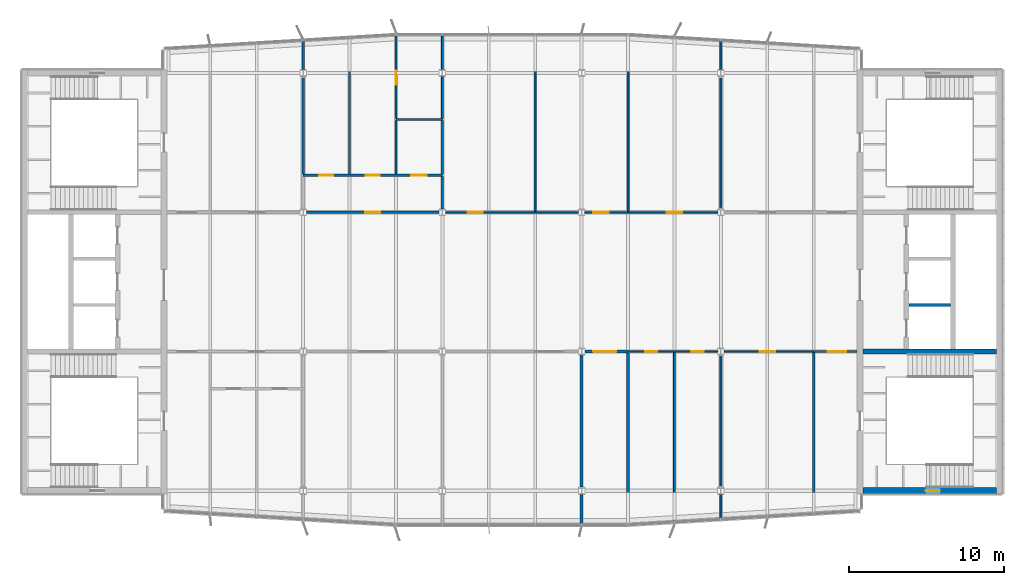
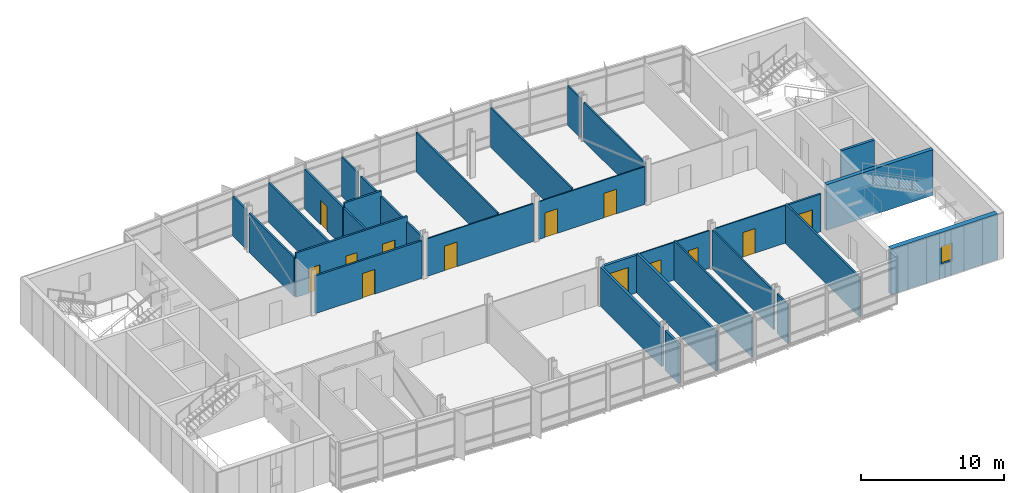
# One storey, part 12 of 17: 32 walls, 13 doors, 1 window, 14 openings.
"""IFC4 building model written with IfcOpenShell, lengths in metres."""

from ifc_helpers import new_model, si_unit, direction, frame, frame_2d, origin, place, context, subcontext, project, spatial, rectangle, extrude, material, layer, layer_set, type_object, element, fill, save


model = new_model("IFC4")

# Units and contexts
model_context = context("Model", 3, precision=1e-05, world=origin(), true_north=direction((0.0, 1.0)))
body_context = subcontext(model_context, "Body", "Model", "MODEL_VIEW")
ifc_project = project(units=[si_unit("LENGTHUNIT", "METRE"), si_unit("AREAUNIT", "SQUARE_METRE"), si_unit("VOLUMEUNIT", "CUBIC_METRE"), si_unit("PLANEANGLEUNIT", "RADIAN"), si_unit("MASSUNIT", "GRAM", prefix="KILO")], contexts=[model_context])

# Site, building, storey
site_placement = place(None, origin())
site = spatial("IfcSite", under=ifc_project, at=site_placement, CompositionType="ELEMENT")
building_placement = place(site_placement, origin())
building = spatial("IfcBuilding", under=site, at=building_placement, Name="Azimuth Sports and Learning Centre", CompositionType="ELEMENT")
storey_placement = place(building_placement, frame((0.0, 0.0, 40.199951171875)))
storey = spatial("IfcBuildingStorey", under=building, at=storey_placement, Name="L08", CompositionType="ELEMENT", Elevation=40.199951171875)

# Wall
ifc_material_1 = material(Name="Dense masonry blockwork", Category="masonry")
ifc_layer_1 = layer(ifc_material_1, 0.199951171875)
ifc_layer_set_1 = layer_set([ifc_layer_1], Name="Dense masonry blockwork")
wall_type_1 = type_object("IfcWallType", Name="Blockwork wall 200 EI 120", PredefinedType="SOLIDWALL", material=ifc_layer_set_1)
wall_1_placement = place(storey_placement, frame((111.14990234375, 102.0, 0.0), z_axis=(0.0, 0.0, 1.0), x_axis=(1.0, 0.0, 0.0)))
element("IfcWall", 1, at=wall_1_placement, inside=storey, type_object=wall_type_1, Name="SD-E-1-L08", PredefinedType="SOLIDWALL", context=body_context, shape_type="SweptSolid", body=[
    extrude(rectangle(XDim=2.7001953125, YDim=0.199951171875, at=frame_2d((1.35009765625, 0.0))), origin(), (0.0, 0.0, 1.0), 3.900146484375),
])

# Wall, openings, doors
ifc_material_2 = material(Name="Gypsum board on steel studs", Category="steel")
ifc_layer_2 = layer(ifc_material_2, 0.10009765625)
ifc_layer_set_2 = layer_set([ifc_layer_2], Name="Gypsum board on steel studs")
wall_type_2 = type_object("IfcWallType", Name="Partition 100 EI 30", PredefinedType="PARTITIONING", material=ifc_layer_set_2)
wall_2_placement = place(storey_placement, frame((93.0, 99.0, 0.0), z_axis=(0.0, 0.0, 1.0), x_axis=(1.0, 0.0, 0.0)))
wall_2 = element("IfcWall", 2, at=wall_2_placement, inside=storey, type_object=wall_type_2, Name="Partition IT Store 08.13 / Cleaner Store 08.14", PredefinedType="PARTITIONING", context=body_context, shape_type="SweptSolid", body=[
    extrude(rectangle(XDim=5.7939453125, YDim=0.10009765625, at=frame_2d((2.89697265625, 0.0))), origin(), (0.0, 0.0, 1.0), 3.219970703125),
])
opening_1_placement = place(wall_2_placement, frame((1.10009765625, 0.0, 0.0)))
opening_1 = element("IfcOpeningElement", 3, at=opening_1_placement, cuts=wall_2, Name="Opening D08-019", PredefinedType="OPENING", context=body_context, shape_type="SweptSolid", body=[
    extrude(rectangle(XDim=0.800048828125, YDim=2.10009765625, at=frame_2d((0.39990234375, 1.050048828125))), frame((0.0, 0.06103515625, 0.0), z_axis=(0.0, -1.0, 0.0), x_axis=(1.0, 0.0, 0.0)), (0.0, 0.0, 1.0), 0.1220703125),
])
opening_2_placement = place(wall_2_placement, frame((4.10009765625, 0.0, 0.0)))
opening_2 = element("IfcOpeningElement", 4, at=opening_2_placement, cuts=wall_2, Name="Opening D08-020", PredefinedType="OPENING", context=body_context, shape_type="SweptSolid", body=[
    extrude(rectangle(XDim=0.800048828125, YDim=2.10009765625, at=frame_2d((0.39990234375, 1.050048828125))), frame((0.0, 0.06103515625, 0.0), z_axis=(0.0, -1.0, 0.0), x_axis=(1.0, 0.0, 0.0)), (0.0, 0.0, 1.0), 0.1220703125),
])
ifc_material_3 = material(Name="Painted steel door set", Category="steel")
door_type_1 = type_object("IfcDoorType", Name="Fire door FD30S 800 x 2100", OperationType="NOTDEFINED", PredefinedType="DOOR", material=ifc_material_3)
door_1_placement = place(opening_1_placement, frame((0.800048828125, 0.0, 0.0), z_axis=(0.0, 0.0, 1.0), x_axis=(-1.0, 0.0, 0.0)))
door_1 = element("IfcDoor", 5, at=door_1_placement, inside=storey, type_object=door_type_1, Name="Door IT Store 08.13 / Learning Street", OperationType="SINGLE_SWING_LEFT", OverallHeight=2.10009765625, OverallWidth=0.800048828125, PredefinedType="DOOR", context=body_context, shape_type="SweptSolid", body=[
    extrude(rectangle(XDim=0.800048828125, YDim=2.10009765625, at=frame_2d((0.39990234375, 1.050048828125))), frame((0.0, 0.02490234375, 0.0), z_axis=(0.0, -1.0, 0.0), x_axis=(1.0, 0.0, 0.0)), (0.0, 0.0, 1.0), 0.050048828125),
])
fill(opening_1, door_1)
door_2_placement = place(opening_2_placement, frame((0.800048828125, 0.0, 0.0), z_axis=(0.0, 0.0, 1.0), x_axis=(-1.0, 0.0, 0.0)))
door_2 = element("IfcDoor", 6, at=door_2_placement, inside=storey, type_object=door_type_1, Name="Door Cleaner Store 08.14 / Learning Street", OperationType="SINGLE_SWING_LEFT", OverallHeight=2.10009765625, OverallWidth=0.800048828125, PredefinedType="DOOR", context=body_context, shape_type="SweptSolid", body=[
    extrude(rectangle(XDim=0.800048828125, YDim=2.10009765625, at=frame_2d((0.39990234375, 1.050048828125))), frame((0.0, 0.02490234375, 0.0), z_axis=(0.0, -1.0, 0.0), x_axis=(1.0, 0.0, 0.0)), (0.0, 0.0, 1.0), 0.050048828125),
])
fill(opening_2, door_2)

# Wall, opening, door
wall_3_placement = place(storey_placement, frame((99.2060546875, 99.0, 0.0), z_axis=(0.0, 0.0, 1.0), x_axis=(1.0, 0.0, 0.0)))
wall_3 = element("IfcWall", 7, at=wall_3_placement, inside=storey, type_object=wall_type_2, Name="Partition IT Store 08.13 / Cleaner Store 08.14", PredefinedType="PARTITIONING", context=body_context, shape_type="SweptSolid", body=[
    extrude(rectangle(XDim=5.7939453125, YDim=0.10009765625, at=frame_2d((2.89697265625, 0.0))), origin(), (0.0, 0.0, 1.0), 3.219970703125),
])
opening_3_placement = place(wall_3_placement, frame((2.2939453125, 0.0, 0.0)))
opening_3 = element("IfcOpeningElement", 8, at=opening_3_placement, cuts=wall_3, Name="Opening D08-021", PredefinedType="OPENING", context=body_context, shape_type="SweptSolid", body=[
    extrude(rectangle(XDim=1.0, YDim=2.10009765625, at=frame_2d((0.5, 1.050048828125))), frame((0.0, 0.06103515625, 0.0), z_axis=(0.0, -1.0, 0.0), x_axis=(1.0, 0.0, 0.0)), (0.0, 0.0, 1.0), 0.1220703125),
])
ifc_material_4 = material(Name="Painted steel door set", Category="steel")
door_type_2 = type_object("IfcDoorType", Name="Fire door FD30S 1000 x 2100", OperationType="NOTDEFINED", PredefinedType="DOOR", material=ifc_material_4)
door_3_placement = place(opening_3_placement, frame((1.0, 0.0, 0.0), z_axis=(0.0, 0.0, 1.0), x_axis=(-1.0, 0.0, 0.0)))
door_3 = element("IfcDoor", 9, at=door_3_placement, inside=storey, type_object=door_type_2, Name="Door Classroom 08.15 / Learning Street", OperationType="SINGLE_SWING_RIGHT", OverallHeight=2.10009765625, OverallWidth=1.0, PredefinedType="DOOR", context=body_context, shape_type="SweptSolid", body=[
    extrude(rectangle(XDim=1.0, YDim=2.10009765625, at=frame_2d((0.5, 1.050048828125))), frame((0.0, 0.02490234375, 0.0), z_axis=(0.0, -1.0, 0.0), x_axis=(1.0, 0.0, 0.0)), (0.0, 0.0, 1.0), 0.050048828125),
])
fill(opening_3, door_3)

wall_4_placement = place(storey_placement, frame((81.2060546875, 108.0, 0.0), z_axis=(0.0, 0.0, 1.0), x_axis=(1.0, 0.0, 0.0)))
wall_4 = element("IfcWall", 10, at=wall_4_placement, inside=storey, type_object=wall_type_2, Name="Partition Classroom 08.22 / Classroom 08.23", PredefinedType="PARTITIONING", context=body_context, shape_type="SweptSolid", body=[
    extrude(rectangle(XDim=8.587890625, YDim=0.10009765625, at=frame_2d((4.2939453125, 0.0))), origin(), (0.0, 0.0, 1.0), 3.219970703125),
])
opening_4_placement = place(wall_4_placement, frame((1.4189453125, 0.0, 0.0)))
opening_4 = element("IfcOpeningElement", 11, at=opening_4_placement, cuts=wall_4, Name="Opening D08-024", PredefinedType="OPENING", context=body_context, shape_type="SweptSolid", body=[
    extrude(rectangle(XDim=1.0, YDim=2.10009765625, at=frame_2d((0.5, 1.050048828125))), frame((0.0, 0.06103515625, 0.0), z_axis=(0.0, -1.0, 0.0), x_axis=(1.0, 0.0, 0.0)), (0.0, 0.0, 1.0), 0.1220703125),
])
door_4_placement = place(opening_4_placement, origin())
door_4 = element("IfcDoor", 12, at=door_4_placement, inside=storey, type_object=door_type_2, Name="Door Classroom 08.22 / Learning Street", OperationType="SINGLE_SWING_LEFT", OverallHeight=2.10009765625, OverallWidth=1.0, PredefinedType="DOOR", context=body_context, shape_type="SweptSolid", body=[
    extrude(rectangle(XDim=1.0, YDim=2.10009765625, at=frame_2d((0.5, 1.050048828125))), frame((0.0, 0.02490234375, 0.0), z_axis=(0.0, -1.0, 0.0), x_axis=(1.0, 0.0, 0.0)), (0.0, 0.0, 1.0), 0.050048828125),
])
fill(opening_4, door_4)

# Wall, openings, doors
wall_5_placement = place(storey_placement, frame((90.2060546875, 108.0, 0.0), z_axis=(0.0, 0.0, 1.0), x_axis=(1.0, 0.0, 0.0)))
wall_5 = element("IfcWall", 13, at=wall_5_placement, inside=storey, type_object=wall_type_2, Name="Partition Classroom 08.22 / Classroom 08.23", PredefinedType="PARTITIONING", context=body_context, shape_type="SweptSolid", body=[
    extrude(rectangle(XDim=8.587890625, YDim=0.10009765625, at=frame_2d((4.2939453125, 0.0))), origin(), (0.0, 0.0, 1.0), 3.219970703125),
])
opening_5_placement = place(wall_5_placement, frame((0.5439453125, 0.0, 0.0)))
opening_5 = element("IfcOpeningElement", 14, at=opening_5_placement, cuts=wall_5, Name="Opening D08-025", PredefinedType="OPENING", context=body_context, shape_type="SweptSolid", body=[
    extrude(rectangle(XDim=1.0, YDim=2.10009765625, at=frame_2d((0.5, 1.050048828125))), frame((0.0, 0.06103515625, 0.0), z_axis=(0.0, -1.0, 0.0), x_axis=(1.0, 0.0, 0.0)), (0.0, 0.0, 1.0), 0.1220703125),
])
opening_6_placement = place(wall_5_placement, frame((5.2939453125, 0.0, 0.0)))
opening_6 = element("IfcOpeningElement", 15, at=opening_6_placement, cuts=wall_5, Name="Opening D08-026", PredefinedType="OPENING", context=body_context, shape_type="SweptSolid", body=[
    extrude(rectangle(XDim=1.0, YDim=2.10009765625, at=frame_2d((0.5, 1.050048828125))), frame((0.0, 0.06103515625, 0.0), z_axis=(0.0, -1.0, 0.0), x_axis=(1.0, 0.0, 0.0)), (0.0, 0.0, 1.0), 0.1220703125),
])
door_5_placement = place(opening_5_placement, origin())
door_5 = element("IfcDoor", 16, at=door_5_placement, inside=storey, type_object=door_type_2, Name="Door Classroom 08.23 / Learning Street", OperationType="SINGLE_SWING_LEFT", OverallHeight=2.10009765625, OverallWidth=1.0, PredefinedType="DOOR", context=body_context, shape_type="SweptSolid", body=[
    extrude(rectangle(XDim=1.0, YDim=2.10009765625, at=frame_2d((0.5, 1.050048828125))), frame((0.0, 0.02490234375, 0.0), z_axis=(0.0, -1.0, 0.0), x_axis=(1.0, 0.0, 0.0)), (0.0, 0.0, 1.0), 0.050048828125),
])
fill(opening_5, door_5)
door_6_placement = place(opening_6_placement, origin())
door_6 = element("IfcDoor", 17, at=door_6_placement, inside=storey, type_object=door_type_2, Name="Door Seminar Room 08.24 / Learning Street", OperationType="SINGLE_SWING_RIGHT", OverallHeight=2.10009765625, OverallWidth=1.0, PredefinedType="DOOR", context=body_context, shape_type="SweptSolid", body=[
    extrude(rectangle(XDim=1.0, YDim=2.10009765625, at=frame_2d((0.5, 1.050048828125))), frame((0.0, 0.02490234375, 0.0), z_axis=(0.0, -1.0, 0.0), x_axis=(1.0, 0.0, 0.0)), (0.0, 0.0, 1.0), 0.050048828125),
])
fill(opening_6, door_6)

# Walls
ifc_material_5 = material(Name="Gypsum board on steel studs, acoustic", Category="steel")
ifc_layer_3 = layer(ifc_material_5, 0.125)
ifc_layer_set_3 = layer_set([ifc_layer_3], Name="Gypsum board on steel studs, acoustic")
wall_type_3 = type_object("IfcWallType", Name="Partition 125 EI 60", PredefinedType="PARTITIONING", material=ifc_layer_set_3)
wall_6_placement = place(storey_placement, frame((81.0, 114.074951171875, 0.0), z_axis=(0.0, 0.0, 1.0), x_axis=(0.0, 1.0, 0.0)))
element("IfcWall", 18, at=wall_6_placement, inside=storey, type_object=wall_type_3, Name="Partition Cleaner Store 08.21 / Classroom 08.22", PredefinedType="PARTITIONING", context=body_context, shape_type="SweptSolid", body=[
    extrude(rectangle(XDim=2.68798828125, YDim=0.125, at=frame_2d((1.343994140625, 0.0))), origin(), (0.0, 0.0, 1.0), 3.320068359375),
])
wall_7_placement = place(storey_placement, frame((81.0, 117.237060546875, 0.0), z_axis=(0.0, 0.0, 1.0), x_axis=(0.0, 1.0, 0.0)))
element("IfcWall", 19, at=wall_7_placement, inside=storey, type_object=wall_type_3, Name="Partition Cleaner Store 08.21 / Classroom 08.22", PredefinedType="PARTITIONING", context=body_context, shape_type="SweptSolid", body=[
    extrude(rectangle(XDim=2.162841796875, YDim=0.125, at=frame_2d((1.08154296875, 0.0))), origin(), (0.0, 0.0, 1.0), 3.3701171875),
])
for number, where, z_axis, x_axis, name in (
    (20, (87.0, 108.050048828125, 0.0), (0.0, 0.0, 1.0), (0.0, 1.0, 0.0), "Partition Classroom 08.22 / Classroom 08.23"),
    (21, (93.0, 108.050048828125, 0.0), (0.0, 0.0, 1.0), (0.0, 1.0, 0.0), "Partition Classroom 08.23 / Seminar Room 08.24"),
):
    element("IfcWall", number, at=place(storey_placement, frame(where, z_axis=z_axis, x_axis=x_axis)), inside=storey, type_object=wall_type_3, Name=name, PredefinedType="PARTITIONING", context=body_context, shape_type="SweptSolid", body=[
        extrude(rectangle(XDim=11.349853515625, YDim=0.125, at=frame_2d((5.6748046875, 0.0))), origin(), (0.0, 0.0, 1.0), 3.3701171875),
    ])
wall_8_placement = place(storey_placement, frame((96.0, 88.080078125, 0.0), z_axis=(0.0, 0.0, 1.0), x_axis=(0.0, 1.0, 0.0)))
element("IfcWall", 22, at=wall_8_placement, inside=storey, type_object=wall_type_3, Name="Partition IT Store 08.13 / Cleaner Store 08.14", PredefinedType="PARTITIONING", context=body_context, shape_type="SweptSolid", body=[
    extrude(rectangle(XDim=10.869873046875, YDim=0.125, at=frame_2d((5.43505859375, 0.0))), origin(), (0.0, 0.0, 1.0), 3.3701171875),
])
wall_9_placement = place(storey_placement, frame((99.0, 88.260009765625, 0.0), z_axis=(0.0, 0.0, 1.0), x_axis=(0.0, 1.0, 0.0)))
element("IfcWall", 23, at=wall_9_placement, inside=storey, type_object=wall_type_3, Name="Partition Cleaner Store 08.14 / Classroom 08.15", PredefinedType="PARTITIONING", context=body_context, shape_type="SweptSolid", body=[
    extrude(rectangle(XDim=1.5029296875, YDim=0.125, at=frame_2d((0.75146484375, 0.0))), origin(), (0.0, 0.0, 1.0), 3.3701171875),
])
for number, where, z_axis, x_axis, name in (
    (24, (99.0, 90.237060546875, 0.0), (0.0, 0.0, 1.0), (0.0, 1.0, 0.0), "Partition Cleaner Store 08.14 / Classroom 08.15"),
    (25, (99.0, 108.217529296875, 0.0), (0.0, 0.0, 1.0), (0.0, 1.0, 0.0), "Partition Seminar Room 08.24 / Seminar Room 08.25"),
):
    element("IfcWall", number, at=place(storey_placement, frame(where, z_axis=z_axis, x_axis=x_axis)), inside=storey, type_object=wall_type_3, Name=name, PredefinedType="PARTITIONING", context=body_context, shape_type="SweptSolid", body=[
        extrude(rectangle(XDim=8.54541015625, YDim=0.125, at=frame_2d((4.272705078125, 0.0))), origin(), (0.0, 0.0, 1.0), 3.320068359375),
    ])
wall_10_placement = place(storey_placement, frame((99.0, 117.237060546875, 0.0), z_axis=(0.0, 0.0, 1.0), x_axis=(0.0, 1.0, 0.0)))
element("IfcWall", 26, at=wall_10_placement, inside=storey, type_object=wall_type_3, Name="Partition Seminar Room 08.24 / Seminar Room 08.25", PredefinedType="PARTITIONING", context=body_context, shape_type="SweptSolid", body=[
    extrude(rectangle(XDim=1.802978515625, YDim=0.125, at=frame_2d((0.9013671875, 0.0))), origin(), (0.0, 0.0, 1.0), 3.3701171875),
])

# Wall, opening, door
ifc_material_6 = material(Name="Lightweight blockwork, rendered", Category="masonry")
ifc_layer_4 = layer(ifc_material_6, 0.14990234375)
ifc_layer_set_4 = layer_set([ifc_layer_4], Name="Lightweight blockwork, rendered")
wall_type_4 = type_object("IfcWallType", Name="Partition 150 EI 60", PredefinedType="PARTITIONING", material=ifc_layer_set_4)
wall_11_placement = place(storey_placement, frame((105.0, 99.0, 0.0), z_axis=(0.0, 0.0, 1.0), x_axis=(1.0, 0.0, 0.0)))
wall_11 = element("IfcWall", 27, at=wall_11_placement, inside=storey, type_object=wall_type_4, Name="Partition Stair Lobby E1 08.03 / Learning Street", PredefinedType="PARTITIONING", context=body_context, shape_type="SweptSolid", body=[
    extrude(rectangle(XDim=2.800048828125, YDim=0.14990234375, at=frame_2d((1.39990234375, 0.0))), origin(), (0.0, 0.0, 1.0), 3.219970703125),
])
opening_7_placement = place(wall_11_placement, frame((0.89990234375, 0.0, 0.0)))
opening_7 = element("IfcOpeningElement", 28, at=opening_7_placement, cuts=wall_11, Name="Opening D08-013", PredefinedType="OPENING", context=body_context, shape_type="SweptSolid", body=[
    extrude(rectangle(XDim=1.199951171875, YDim=2.10009765625, at=frame_2d((0.60009765625, 1.050048828125))), frame((0.0, 0.0859375, 0.0), z_axis=(0.0, -1.0, 0.0), x_axis=(1.0, 0.0, 0.0)), (0.0, 0.0, 1.0), 0.171875),
])
ifc_material_7 = material(Name="Painted steel door set", Category="steel")
door_type_3 = type_object("IfcDoorType", Name="Fire door FD60 1200 x 2100", OperationType="NOTDEFINED", PredefinedType="DOOR", material=ifc_material_7)
door_7_placement = place(opening_7_placement, frame((1.199951171875, 0.0, 0.0), z_axis=(0.0, 0.0, 1.0), x_axis=(-1.0, 0.0, 0.0)))
door_7 = element("IfcDoor", 29, at=door_7_placement, inside=storey, type_object=door_type_3, Name="Door Stair Lobby E1 08.03 / Learning Street", OperationType="SINGLE_SWING_LEFT", OverallHeight=2.10009765625, OverallWidth=1.199951171875, PredefinedType="DOOR", context=body_context, shape_type="SweptSolid", body=[
    extrude(rectangle(XDim=1.199951171875, YDim=2.10009765625, at=frame_2d((0.60009765625, 1.050048828125))), frame((0.0, 0.02490234375, 0.0), z_axis=(0.0, -1.0, 0.0), x_axis=(1.0, 0.0, 0.0)), (0.0, 0.0, 1.0), 0.050048828125),
])
fill(opening_7, door_7)

wall_12_placement = place(storey_placement, frame((72.2060546875, 108.0, 0.0), z_axis=(0.0, 0.0, 1.0), x_axis=(1.0, 0.0, 0.0)))
wall_12 = element("IfcWall", 30, at=wall_12_placement, inside=storey, type_object=wall_type_4, Name="Partition WC Lobby 08.17 / Learning Street", PredefinedType="PARTITIONING", context=body_context, shape_type="SweptSolid", body=[
    extrude(rectangle(XDim=8.587890625, YDim=0.14990234375, at=frame_2d((4.2939453125, 0.0))), origin(), (0.0, 0.0, 1.0), 3.219970703125),
])
opening_8_placement = place(wall_12_placement, frame((3.7939453125, 0.0, 0.0)))
opening_8 = element("IfcOpeningElement", 31, at=opening_8_placement, cuts=wall_12, Name="Opening D08-023", PredefinedType="OPENING", context=body_context, shape_type="SweptSolid", body=[
    extrude(rectangle(XDim=1.0, YDim=2.10009765625, at=frame_2d((0.5, 1.050048828125))), frame((0.0, 0.0859375, 0.0), z_axis=(0.0, -1.0, 0.0), x_axis=(1.0, 0.0, 0.0)), (0.0, 0.0, 1.0), 0.171875),
])
ifc_material_8 = material(Name="Painted steel door set", Category="steel")
door_type_4 = type_object("IfcDoorType", Name="Fire door FD60 1000 x 2100", OperationType="NOTDEFINED", PredefinedType="DOOR", material=ifc_material_8)
door_8_placement = place(opening_8_placement, origin())
door_8 = element("IfcDoor", 32, at=door_8_placement, inside=storey, type_object=door_type_4, Name="Door WC Lobby 08.17 / Learning Street", OperationType="SINGLE_SWING_RIGHT", OverallHeight=2.10009765625, OverallWidth=1.0, PredefinedType="DOOR", context=body_context, shape_type="SweptSolid", body=[
    extrude(rectangle(XDim=1.0, YDim=2.10009765625, at=frame_2d((0.5, 1.050048828125))), frame((0.0, 0.02490234375, 0.0), z_axis=(0.0, -1.0, 0.0), x_axis=(1.0, 0.0, 0.0)), (0.0, 0.0, 1.0), 0.050048828125),
])
fill(opening_8, door_8)

# Wall, openings, doors
wall_13_placement = place(storey_placement, frame((72.0, 110.39990234375, 0.0), z_axis=(0.0, 0.0, 1.0), x_axis=(1.0, 0.0, 0.0)))
wall_13 = element("IfcWall", 33, at=wall_13_placement, inside=storey, type_object=wall_type_4, Name="Partition WC Lobby 08.17 / Men WC 08.18", PredefinedType="PARTITIONING", context=body_context, shape_type="SweptSolid", body=[
    extrude(rectangle(XDim=9.0, YDim=0.14990234375, at=frame_2d((4.5, 0.0))), origin(), (0.0, 0.0, 1.0), 3.77001953125),
])
opening_9_placement = place(wall_13_placement, frame((1.050048828125, 0.0, 0.0)))
opening_9 = element("IfcOpeningElement", 34, at=opening_9_placement, cuts=wall_13, Name="Opening D08-030", PredefinedType="OPENING", context=body_context, shape_type="SweptSolid", body=[
    extrude(rectangle(XDim=0.89990234375, YDim=2.10009765625, at=frame_2d((0.449951171875, 1.050048828125))), frame((0.0, 0.0859375, 0.0), z_axis=(0.0, -1.0, 0.0), x_axis=(1.0, 0.0, 0.0)), (0.0, 0.0, 1.0), 0.171875),
])
opening_10_placement = place(wall_13_placement, frame((4.050048828125, 0.0, 0.0)))
opening_10 = element("IfcOpeningElement", 35, at=opening_10_placement, cuts=wall_13, Name="Opening D08-031", PredefinedType="OPENING", context=body_context, shape_type="SweptSolid", body=[
    extrude(rectangle(XDim=0.89990234375, YDim=2.10009765625, at=frame_2d((0.449951171875, 1.050048828125))), frame((0.0, 0.0859375, 0.0), z_axis=(0.0, -1.0, 0.0), x_axis=(1.0, 0.0, 0.0)), (0.0, 0.0, 1.0), 0.171875),
])
opening_11_placement = place(wall_13_placement, frame((7.0, 0.0, 0.0)))
opening_11 = element("IfcOpeningElement", 36, at=opening_11_placement, cuts=wall_13, Name="Opening D08-032", PredefinedType="OPENING", context=body_context, shape_type="SweptSolid", body=[
    extrude(rectangle(XDim=1.0, YDim=2.10009765625, at=frame_2d((0.5, 1.050048828125))), frame((0.0, 0.0859375, 0.0), z_axis=(0.0, -1.0, 0.0), x_axis=(1.0, 0.0, 0.0)), (0.0, 0.0, 1.0), 0.171875),
])
door_9_placement = place(opening_11_placement, origin())
door_9 = element("IfcDoor", 37, at=door_9_placement, inside=storey, type_object=door_type_4, Name="Door WC Lobby 08.17 / Accessible WC 08.20", OperationType="SINGLE_SWING_LEFT", OverallHeight=2.10009765625, OverallWidth=1.0, PredefinedType="DOOR", context=body_context, shape_type="SweptSolid", body=[
    extrude(rectangle(XDim=1.0, YDim=2.10009765625, at=frame_2d((0.5, 1.050048828125))), frame((0.0, 0.02490234375, 0.0), z_axis=(0.0, -1.0, 0.0), x_axis=(1.0, 0.0, 0.0)), (0.0, 0.0, 1.0), 0.050048828125),
])
fill(opening_11, door_9)
ifc_material_9 = material(Name="Painted steel door set", Category="steel")
door_type_5 = type_object("IfcDoorType", Name="Fire door FD60 900 x 2100", OperationType="NOTDEFINED", PredefinedType="DOOR", material=ifc_material_9)
door_10_placement = place(opening_9_placement, frame((0.89990234375, 0.0, 0.0), z_axis=(0.0, 0.0, 1.0), x_axis=(-1.0, 0.0, 0.0)))
door_10 = element("IfcDoor", 38, at=door_10_placement, inside=storey, type_object=door_type_5, Name="Door WC Lobby 08.17 / Men WC 08.18", OperationType="SINGLE_SWING_RIGHT", OverallHeight=2.10009765625, OverallWidth=0.89990234375, PredefinedType="DOOR", context=body_context, shape_type="SweptSolid", body=[
    extrude(rectangle(XDim=0.89990234375, YDim=2.10009765625, at=frame_2d((0.449951171875, 1.050048828125))), frame((0.0, 0.02490234375, 0.0), z_axis=(0.0, -1.0, 0.0), x_axis=(1.0, 0.0, 0.0)), (0.0, 0.0, 1.0), 0.050048828125),
])
fill(opening_9, door_10)
door_11_placement = place(opening_10_placement, frame((0.89990234375, 0.0, 0.0), z_axis=(0.0, 0.0, 1.0), x_axis=(-1.0, 0.0, 0.0)))
door_11 = element("IfcDoor", 39, at=door_11_placement, inside=storey, type_object=door_type_5, Name="Door WC Lobby 08.17 / Women WC 08.19", OperationType="SINGLE_SWING_RIGHT", OverallHeight=2.10009765625, OverallWidth=0.89990234375, PredefinedType="DOOR", context=body_context, shape_type="SweptSolid", body=[
    extrude(rectangle(XDim=0.89990234375, YDim=2.10009765625, at=frame_2d((0.449951171875, 1.050048828125))), frame((0.0, 0.02490234375, 0.0), z_axis=(0.0, -1.0, 0.0), x_axis=(1.0, 0.0, 0.0)), (0.0, 0.0, 1.0), 0.050048828125),
])
fill(opening_10, door_11)

# Walls
wall_14_placement = place(storey_placement, frame((78.0, 114.0, 0.0), z_axis=(0.0, 0.0, 1.0), x_axis=(1.0, 0.0, 0.0)))
element("IfcWall", 40, at=wall_14_placement, inside=storey, type_object=wall_type_4, Name="Partition Accessible WC 08.20 / Cleaner Store 08.21", PredefinedType="PARTITIONING", context=body_context, shape_type="SweptSolid", body=[
    extrude(rectangle(XDim=3.0, YDim=0.14990234375, at=frame_2d((1.5, 0.0))), origin(), (0.0, 0.0, 1.0), 3.77001953125),
])
wall_15_placement = place(storey_placement, frame((72.0, 110.47509765625, 0.0), z_axis=(0.0, 0.0, 1.0), x_axis=(0.0, 1.0, 0.0)))
element("IfcWall", 41, at=wall_15_placement, inside=storey, type_object=wall_type_4, Name="Partition Classroom 08.16 / WC Lobby 08.17", PredefinedType="PARTITIONING", context=body_context, shape_type="SweptSolid", body=[
    extrude(rectangle(XDim=6.287841796875, YDim=0.14990234375, at=frame_2d((3.14404296875, 0.0))), origin(), (0.0, 0.0, 1.0), 3.320068359375),
])
wall_16_placement = place(storey_placement, frame((72.0, 117.237060546875, 0.0), z_axis=(0.0, 0.0, 1.0), x_axis=(0.0, 1.0, 0.0)))
element("IfcWall", 42, at=wall_16_placement, inside=storey, type_object=wall_type_4, Name="Partition Classroom 08.16 / WC Lobby 08.17", PredefinedType="PARTITIONING", context=body_context, shape_type="SweptSolid", body=[
    extrude(rectangle(XDim=1.802978515625, YDim=0.14990234375, at=frame_2d((0.9013671875, 0.0))), origin(), (0.0, 0.0, 1.0), 3.3701171875),
])
wall_17_placement = place(storey_placement, frame((75.0, 110.47509765625, 0.0), z_axis=(0.0, 0.0, 1.0), x_axis=(0.0, 1.0, 0.0)))
element("IfcWall", 43, at=wall_17_placement, inside=storey, type_object=wall_type_4, Name="Partition Men WC 08.18 / Women WC 08.19", PredefinedType="PARTITIONING", context=body_context, shape_type="SweptSolid", body=[
    extrude(rectangle(XDim=8.744873046875, YDim=0.14990234375, at=frame_2d((4.37255859375, 0.0))), origin(), (0.0, 0.0, 1.0), 3.3701171875),
])
wall_18_placement = place(storey_placement, frame((78.0, 110.47509765625, 0.0), z_axis=(0.0, 0.0, 1.0), x_axis=(0.0, 1.0, 0.0)))
element("IfcWall", 44, at=wall_18_placement, inside=storey, type_object=wall_type_4, Name="Partition Women WC 08.19 / Accessible WC 08.20", PredefinedType="PARTITIONING", context=body_context, shape_type="SweptSolid", body=[
    extrude(rectangle(XDim=3.449951171875, YDim=0.14990234375, at=frame_2d((1.72509765625, 0.0))), origin(), (0.0, 0.0, 1.0), 3.3701171875),
])

# Wall, opening, door
wall_19_placement = place(storey_placement, frame((78.0, 114.074951171875, 0.0), z_axis=(0.0, 0.0, 1.0), x_axis=(0.0, 1.0, 0.0)))
wall_19 = element("IfcWall", 45, at=wall_19_placement, inside=storey, type_object=wall_type_4, Name="Partition Women WC 08.19 / Accessible WC 08.20", PredefinedType="PARTITIONING", context=body_context, shape_type="SweptSolid", body=[
    extrude(rectangle(XDim=5.324951171875, YDim=0.14990234375, at=frame_2d((2.66259765625, 0.0))), origin(), (0.0, 0.0, 1.0), 3.3701171875),
])
opening_12_placement = place(wall_19_placement, frame((2.175048828125, 0.0, 0.0)))
opening_12 = element("IfcOpeningElement", 46, at=opening_12_placement, cuts=wall_19, Name="Opening D08-033", PredefinedType="OPENING", context=body_context, shape_type="SweptSolid", body=[
    extrude(rectangle(XDim=0.89990234375, YDim=2.10009765625, at=frame_2d((0.449951171875, 1.050048828125))), frame((0.0, 0.0859375, 0.0), z_axis=(0.0, -1.0, 0.0), x_axis=(1.0, 0.0, 0.0)), (0.0, 0.0, 1.0), 0.171875),
])
door_12_placement = place(opening_12_placement, frame((0.89990234375, 0.0, 0.0), z_axis=(0.0, 0.0, 1.0), x_axis=(-1.0, 0.0, 0.0)))
door_12 = element("IfcDoor", 47, at=door_12_placement, inside=storey, type_object=door_type_5, Name="Door Women WC 08.19 / Cleaner Store 08.21", OperationType="SINGLE_SWING_RIGHT", OverallHeight=2.10009765625, OverallWidth=0.89990234375, PredefinedType="DOOR", context=body_context, shape_type="SweptSolid", body=[
    extrude(rectangle(XDim=0.89990234375, YDim=2.10009765625, at=frame_2d((0.449951171875, 1.050048828125))), frame((0.0, 0.02490234375, 0.0), z_axis=(0.0, -1.0, 0.0), x_axis=(1.0, 0.0, 0.0)), (0.0, 0.0, 1.0), 0.050048828125),
])
fill(opening_12, door_12)

# Walls
wall_20_placement = place(storey_placement, frame((81.0, 108.217529296875, 0.0), z_axis=(0.0, 0.0, 1.0), x_axis=(0.0, 1.0, 0.0)))
element("IfcWall", 48, at=wall_20_placement, inside=storey, type_object=wall_type_4, Name="Partition WC Lobby 08.17 / Accessible WC 08.20", PredefinedType="PARTITIONING", context=body_context, shape_type="SweptSolid", body=[
    extrude(rectangle(XDim=2.107421875, YDim=0.14990234375, at=frame_2d((1.0537109375, 0.0))), origin(), (0.0, 0.0, 1.0), 3.320068359375),
])
wall_21_placement = place(storey_placement, frame((81.0, 110.47509765625, 0.0), z_axis=(0.0, 0.0, 1.0), x_axis=(0.0, 1.0, 0.0)))
element("IfcWall", 49, at=wall_21_placement, inside=storey, type_object=wall_type_4, Name="Partition WC Lobby 08.17 / Accessible WC 08.20", PredefinedType="PARTITIONING", context=body_context, shape_type="SweptSolid", body=[
    extrude(rectangle(XDim=3.449951171875, YDim=0.14990234375, at=frame_2d((1.72509765625, 0.0))), origin(), (0.0, 0.0, 1.0), 3.320068359375),
])
wall_22_placement = place(storey_placement, frame((105.0, 88.6201171875, 0.0), z_axis=(0.0, 0.0, 1.0), x_axis=(0.0, 1.0, 0.0)))
element("IfcWall", 50, at=wall_22_placement, inside=storey, type_object=wall_type_4, Name="Partition Stair Lobby E1 08.03 / Classroom 08.15", PredefinedType="PARTITIONING", context=body_context, shape_type="SweptSolid", body=[
    extrude(rectangle(XDim=10.304931640625, YDim=0.14990234375, at=frame_2d((5.15234375, 0.0))), origin(), (0.0, 0.0, 1.0), 3.3701171875),
])

# Wall, opening, door
ifc_material_10 = material(Name="Lightweight blockwork, rendered", Category="masonry")
ifc_layer_5 = layer(ifc_material_10, 0.199951171875)
ifc_layer_set_5 = layer_set([ifc_layer_5], Name="Lightweight blockwork, rendered")
wall_type_5 = type_object("IfcWallType", Name="Partition 200 EI 120", PredefinedType="PARTITIONING", material=ifc_layer_set_5)
wall_23_placement = place(storey_placement, frame((90.2060546875, 99.0, 0.0), z_axis=(0.0, 0.0, 1.0), x_axis=(1.0, 0.0, 0.0)))
wall_23 = element("IfcWall", 51, at=wall_23_placement, inside=storey, type_object=wall_type_5, Name="Partition Server Room 08.12 / Learning Street", PredefinedType="PARTITIONING", context=body_context, shape_type="SweptSolid", body=[
    extrude(rectangle(XDim=2.7939453125, YDim=0.199951171875, at=frame_2d((1.39697265625, 0.0))), origin(), (0.0, 0.0, 1.0), 3.219970703125),
])
opening_13_placement = place(wall_23_placement, frame((0.5439453125, 0.0, 0.0)))
opening_13 = element("IfcOpeningElement", 52, at=opening_13_placement, cuts=wall_23, Name="Opening D08-018", PredefinedType="OPENING", context=body_context, shape_type="SweptSolid", body=[
    extrude(rectangle(XDim=1.5, YDim=2.39990234375, at=frame_2d((0.75, 1.199951171875))), frame((0.0, 0.11083984375, 0.0), z_axis=(0.0, -1.0, 0.0), x_axis=(1.0, 0.0, 0.0)), (0.0, 0.0, 1.0), 0.221923828125),
])
ifc_material_11 = material(Name="Painted steel door set", Category="steel")
door_type_6 = type_object("IfcDoorType", Name="Fire door FD120 1500 x 2400 double leaf", OperationType="DOUBLE_DOOR_SINGLE_SWING", PredefinedType="DOOR", material=ifc_material_11)
door_13_placement = place(opening_13_placement, origin())
door_13 = element("IfcDoor", 53, at=door_13_placement, inside=storey, type_object=door_type_6, Name="Door Server Room 08.12 / Learning Street", OperationType="DOUBLE_DOOR_SINGLE_SWING", OverallHeight=2.39990234375, OverallWidth=1.5, PredefinedType="DOOR", context=body_context, shape_type="SweptSolid", body=[
    extrude(rectangle(XDim=1.5, YDim=2.39990234375, at=frame_2d((0.75, 1.199951171875))), frame((0.0, 0.02490234375, 0.0), z_axis=(0.0, -1.0, 0.0), x_axis=(1.0, 0.0, 0.0)), (0.0, 0.0, 1.0), 0.050048828125),
])
fill(opening_13, door_13)

# Walls
wall_24_placement = place(storey_placement, frame((90.0, 87.89990234375, 0.0), z_axis=(0.0, 0.0, 1.0), x_axis=(0.0, 1.0, 0.0)))
element("IfcWall", 54, at=wall_24_placement, inside=storey, type_object=wall_type_5, Name="Partition Design Studio 08.11 / Server Room 08.12", PredefinedType="PARTITIONING", context=body_context, shape_type="SweptSolid", body=[
    extrude(rectangle(XDim=1.863037109375, YDim=0.199951171875, at=frame_2d((0.931640625, 0.0))), origin(), (0.0, 0.0, 1.0), 3.3701171875),
])
wall_25_placement = place(storey_placement, frame((90.0, 90.237060546875, 0.0), z_axis=(0.0, 0.0, 1.0), x_axis=(0.0, 1.0, 0.0)))
element("IfcWall", 55, at=wall_25_placement, inside=storey, type_object=wall_type_5, Name="Partition Design Studio 08.11 / Server Room 08.12", PredefinedType="PARTITIONING", context=body_context, shape_type="SweptSolid", body=[
    extrude(rectangle(XDim=8.54541015625, YDim=0.199951171875, at=frame_2d((4.272705078125, 0.0))), origin(), (0.0, 0.0, 1.0), 3.320068359375),
])
wall_26_placement = place(storey_placement, frame((93.0, 87.89990234375, 0.0), z_axis=(0.0, 0.0, 1.0), x_axis=(0.0, 1.0, 0.0)))
element("IfcWall", 56, at=wall_26_placement, inside=storey, type_object=wall_type_5, Name="Partition Server Room 08.12 / IT Store 08.13", PredefinedType="PARTITIONING", context=body_context, shape_type="SweptSolid", body=[
    extrude(rectangle(XDim=11.0, YDim=0.199951171875, at=frame_2d((5.5, 0.0))), origin(), (0.0, 0.0, 1.0), 3.3701171875),
])
ifc_material_12 = material(Name="Concrete C40/50", Category="concrete")
ifc_layer_6 = layer(ifc_material_12, 0.300048828125)
ifc_layer_set_6 = layer_set([ifc_layer_6], Name="Concrete C40/50")
wall_type_6 = type_object("IfcWallType", Name="RC core wall 300", PredefinedType="SHEAR", material=ifc_layer_set_6)
wall_27_placement = place(storey_placement, frame((108.199951171875, 99.0, 0.0), z_axis=(0.0, 0.0, 1.0), x_axis=(1.0, 0.0, 0.0)))
element("IfcWall", 57, at=wall_27_placement, inside=storey, type_object=wall_type_6, Name="Core wall E D1 L08", PredefinedType="SHEAR", context=body_context, shape_type="SweptSolid", body=[
    extrude(rectangle(XDim=8.60009765625, YDim=0.300048828125, at=frame_2d((4.300048828125, 0.0))), origin(), (0.0, 0.0, 1.0), 3.900146484375),
])

# Wall, opening, window
ifc_material_13 = material(Name="Concrete C40/50", Category="concrete")
ifc_layer_7 = layer(ifc_material_13, 0.39990234375)
ifc_layer_set_7 = layer_set([ifc_layer_7], Name="Concrete C40/50")
wall_type_7 = type_object("IfcWallType", Name="RC external core wall 400", PredefinedType="SHEAR", material=ifc_layer_set_7)
wall_28_placement = place(storey_placement, frame((108.199951171875, 90.0, 0.0), z_axis=(0.0, 0.0, 1.0), x_axis=(1.0, 0.0, 0.0)))
wall_28 = element("IfcWall", 58, at=wall_28_placement, inside=storey, type_object=wall_type_7, Name="Core wall E S L08", PredefinedType="SHEAR", context=body_context, shape_type="SweptSolid", body=[
    extrude(rectangle(XDim=8.60009765625, YDim=0.39990234375, at=frame_2d((4.300048828125, 0.0))), origin(), (0.0, 0.0, 1.0), 3.900146484375),
])
opening_14_placement = place(wall_28_placement, frame((4.050048828125, 0.0, 1.199951171875)))
opening_14 = element("IfcOpeningElement", 59, at=opening_14_placement, cuts=wall_28, Name="Opening W08-002", PredefinedType="OPENING", context=body_context, shape_type="SweptSolid", body=[
    extrude(rectangle(XDim=0.89990234375, YDim=1.5, at=frame_2d((0.449951171875, 0.75))), frame((0.0, 0.2109375, 0.0), z_axis=(0.0, -1.0, 0.0), x_axis=(1.0, 0.0, 0.0)), (0.0, 0.0, 1.0), 0.421875),
])
ifc_material_14 = material(Name="Aluminium and glass", Category="aluminium")
window_type = type_object("IfcWindowType", Name="Stair window tower core 900x1500", PartitioningType="SINGLE_PANEL", PredefinedType="WINDOW", material=ifc_material_14)
window_placement = place(opening_14_placement, origin())
window = element("IfcWindow", 60, at=window_placement, inside=storey, type_object=window_type, Name="Window W08-002", OverallHeight=1.5, OverallWidth=0.89990234375, PartitioningType="SINGLE_PANEL", PredefinedType="WINDOW", context=body_context, shape_type="SweptSolid", body=[
    extrude(rectangle(XDim=0.89990234375, YDim=1.5, at=frame_2d((0.449951171875, 0.75))), frame((0.0, 0.030029296875, 0.0), z_axis=(0.0, -1.0, 0.0), x_axis=(1.0, 0.0, 0.0)), (0.0, 0.0, 1.0), 0.06005859375),
])
fill(opening_14, window)

save(model, "model.ifc")
